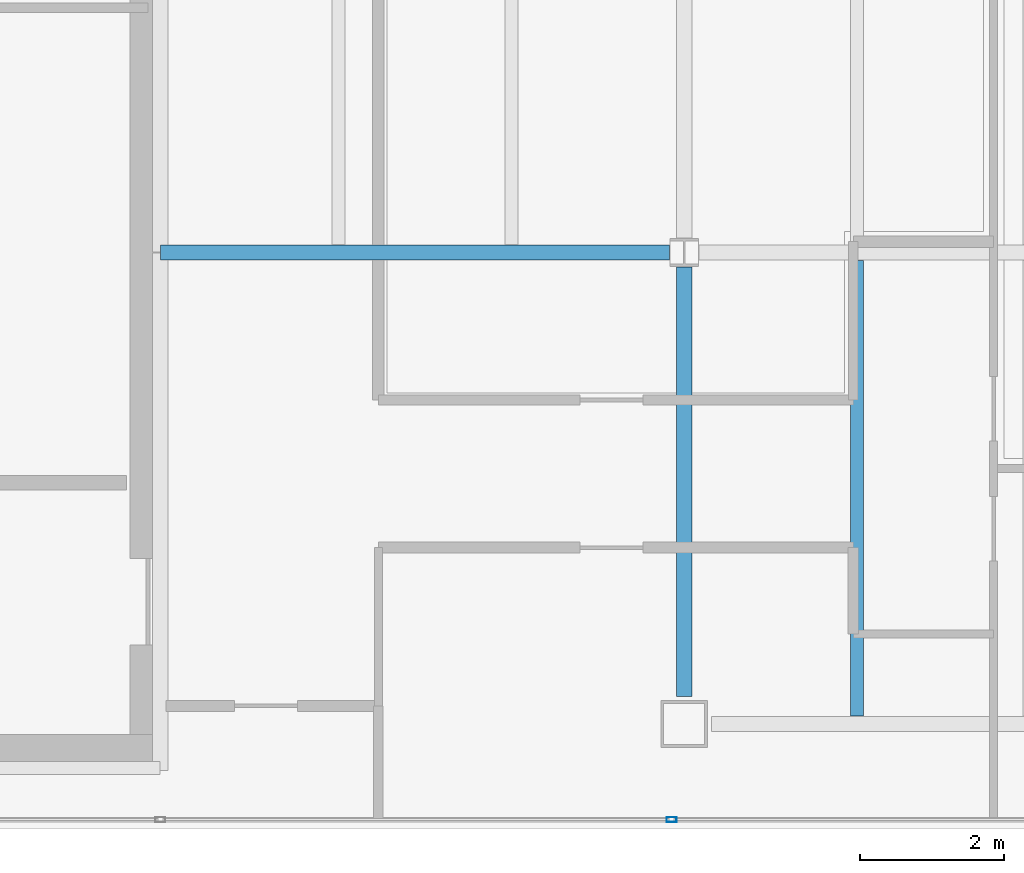
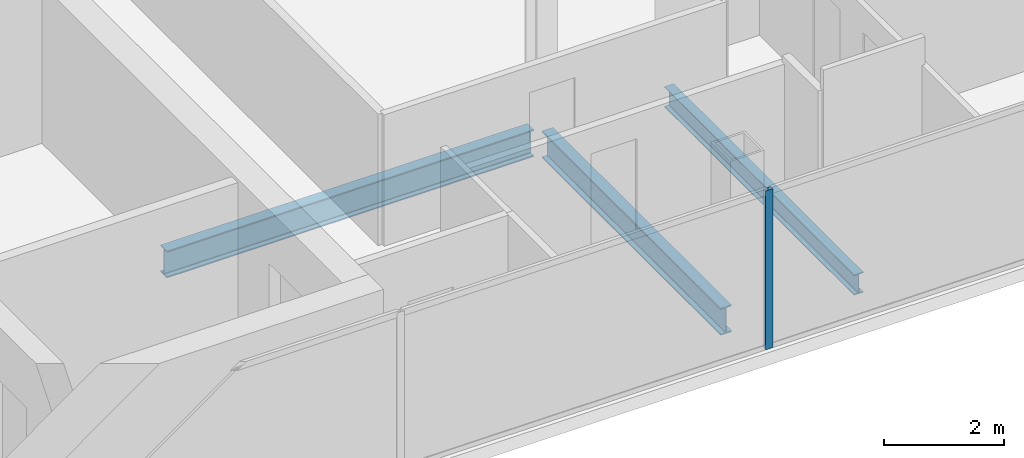
# One storey, part 5 of 24: 3 beams, 1 member, 1 element without a shape of its own.
"""IFC4 building model written with IfcOpenShell, lengths in metres."""

from ifc_helpers import new_model, si_unit, direction, frame, origin, origin_2d, place, context, subcontext, project, spatial, hollow_rectangle, i_section, extrude, material, material_profile, profile_set, type_object, element, aggregate, save


model = new_model("IFC4")

# Units and contexts
model_context = context("Model", 3, precision=1e-05, world=origin(), true_north=direction((0.0, 1.0)))
body_context = subcontext(model_context, "Body", "Model", "MODEL_VIEW")
ifc_project = project(units=[si_unit("LENGTHUNIT", "METRE"), si_unit("AREAUNIT", "SQUARE_METRE"), si_unit("VOLUMEUNIT", "CUBIC_METRE"), si_unit("PLANEANGLEUNIT", "RADIAN"), si_unit("MASSUNIT", "GRAM", prefix="KILO")], contexts=[model_context])

# Site, building, storey
site_placement = place(None, origin())
site = spatial("IfcSite", under=ifc_project, at=site_placement, CompositionType="ELEMENT")
building_placement = place(site_placement, origin())
building = spatial("IfcBuilding", under=site, at=building_placement, Name="Cobrela Telecom Tower", CompositionType="ELEMENT")
storey_placement = place(building_placement, frame((0.0, 0.0, 241.14990234375)))
storey = spatial("IfcBuildingStorey", under=building, at=storey_placement, Name="L62", CompositionType="ELEMENT", Elevation=241.14990234375)

# Beams
ifc_material_1 = material(Name="Steel ASTM A992 Grade 50", Category="steel")
ifc_material_profile_1 = material_profile(ifc_material_1, i_section(OverallWidth=0.212890625, OverallDepth=0.549072265625, WebThickness=0.0146484375, FlangeThickness=0.023681640625, FilletRadius=0.013916015625, at=origin_2d()), Name="W21X93")
ifc_profile_set_1 = profile_set([ifc_material_profile_1], Name="Steel ASTM A992 Grade 50")
beam_type_1 = type_object("IfcBeamType", Name="BM-GIRD-08", PredefinedType="USERDEFINED", material=ifc_profile_set_1)
beam_1_placement = place(storey_placement, frame((14.324951171875, 14.39990234375, -0.534423828125), z_axis=(1.0, 0.0, 0.0), x_axis=(0.0, 1.0, 0.0)))
element("IfcBeam", 1, at=beam_1_placement, inside=storey, type_object=beam_type_1, Name="L62 Primary Girder X05", ObjectType="GIRDER", PredefinedType="USERDEFINED", context=body_context, shape_type="SweptSolid", body=[
    extrude(i_section(OverallWidth=0.212890625, OverallDepth=0.549072265625, WebThickness=0.0146484375, FlangeThickness=0.023681640625, FilletRadius=0.013916015625, at=origin_2d()), origin(), (0.0, 0.0, 1.0), 7.070556640625),
])
beam_2_placement = place(storey_placement, frame((21.60009765625, 8.22998046875, -0.534423828125), z_axis=(0.0, 1.0, 0.0), x_axis=(-1.0, 0.0, 0.0)))
element("IfcBeam", 2, at=beam_2_placement, inside=storey, type_object=beam_type_1, Name="L62 Primary Girder Y25", ObjectType="GIRDER", PredefinedType="USERDEFINED", context=body_context, shape_type="SweptSolid", body=[
    extrude(i_section(OverallWidth=0.212890625, OverallDepth=0.549072265625, WebThickness=0.0146484375, FlangeThickness=0.023681640625, FilletRadius=0.013916015625, at=origin_2d()), origin(), (0.0, 0.0, 1.0), 5.965576171875),
])
ifc_material_profile_2 = material_profile(ifc_material_1, i_section(OverallWidth=0.179931640625, OverallDepth=0.4169921875, WebThickness=0.010986328125, FlangeThickness=0.01806640625, FilletRadius=0.011962890625, at=origin_2d()), Name="W16X57")
ifc_profile_set_2 = profile_set([ifc_material_profile_2], Name="Steel ASTM A992 Grade 50")
beam_type_2 = type_object("IfcBeamType", Name="BM-JOIST-04", PredefinedType="JOIST", material=ifc_profile_set_2)
beam_3_placement = place(storey_placement, frame((24.0, 7.96142578125, -0.468505859375), z_axis=(0.0, 1.0, 0.0), x_axis=(-1.0, 0.0, 0.0)))
element("IfcBeam", 3, at=beam_3_placement, inside=storey, type_object=beam_type_2, Name="L62 Secondary Composite Floor Beam J07", PredefinedType="JOIST", context=body_context, shape_type="SweptSolid", body=[
    extrude(i_section(OverallWidth=0.179931640625, OverallDepth=0.4169921875, WebThickness=0.010986328125, FlangeThickness=0.01806640625, FilletRadius=0.011962890625, at=origin_2d()), origin(), (0.0, 0.0, 1.0), 6.3271484375),
])

# Curtain wall, member
ifc_material_2 = material(Name="Anodized Bronze Aluminium 6063-T6", Category="aluminium")
curtain_wall_type = type_object("IfcCurtainWallType", Name="CW-SYS-OFF-HI", PredefinedType="USERDEFINED", material=ifc_material_2)
curtain_wall_placement = place(storey_placement, origin())
curtain_wall = element("IfcCurtainWall", 4, at=curtain_wall_placement, inside=storey, type_object=curtain_wall_type, Name="L62 Unitised Bronze Curtain Wall 15", ObjectType="UNITISED CURTAIN WALL", PredefinedType="USERDEFINED")
ifc_material_profile_3 = material_profile(ifc_material_2, hollow_rectangle(XDim=0.070068359375, YDim=0.139892578125, WallThickness=0.00390625, at=origin_2d()), Name="ALU 70x140x4")
ifc_profile_set_3 = profile_set([ifc_material_profile_3], Name="Anodized Bronze Aluminium 6063-T6")
member_type = type_object("IfcMemberType", Name="CW-SYS-OFF-HI-MUL", PredefinedType="MULLION", material=ifc_profile_set_3)
member_placement = place(storey_placement, frame((21.425048828125, 6.52001953125, 0.0), z_axis=(0.0, 0.0, 1.0), x_axis=(0.0, -1.0, 0.0)))
member = element("IfcMember", 5, at=member_placement, type_object=member_type, Name="CW-OFF-HI mullion 4", PredefinedType="MULLION", context=body_context, shape_type="SweptSolid", body=[
    extrude(hollow_rectangle(XDim=0.070068359375, YDim=0.139892578125, WallThickness=0.00390625, at=origin_2d()), origin(), (0.0, 0.0, 1.0), 3.239990234375),
])
aggregate(curtain_wall, [member])

save(model, "model.ifc")
